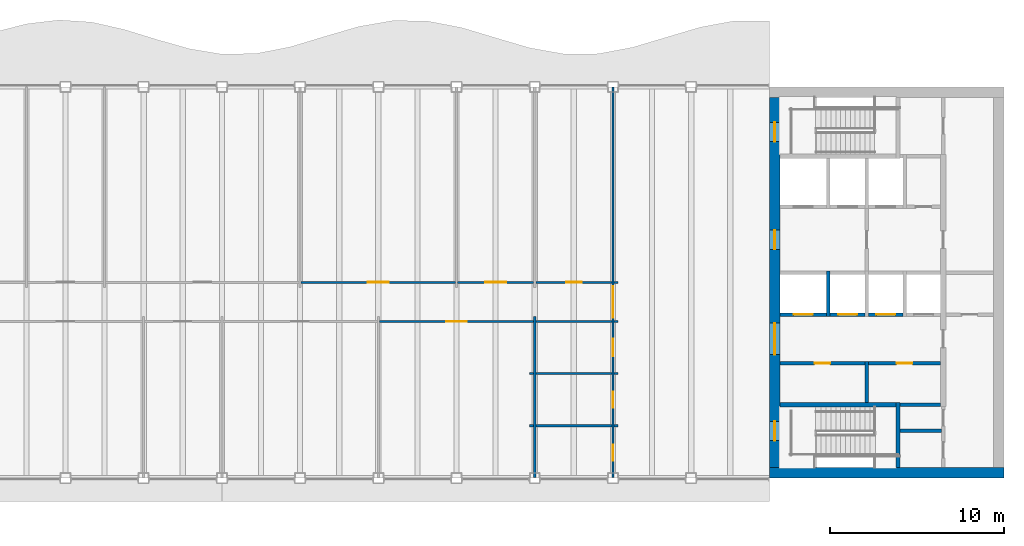
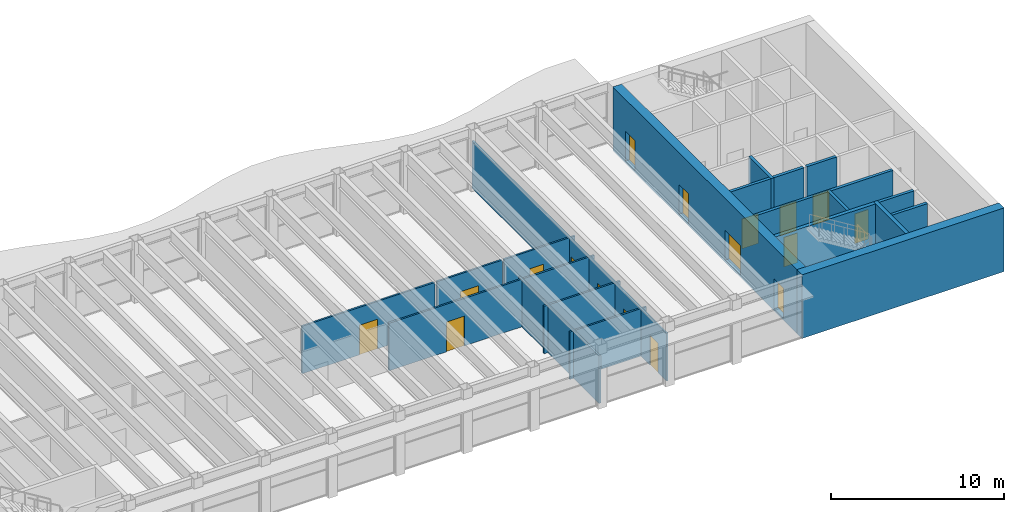
# One storey, part 9 of 14: 28 walls, 17 doors, 17 openings.
"""IFC4 building model written with IfcOpenShell, lengths in metres."""

from ifc_helpers import new_model, si_unit, direction, frame, frame_2d, origin, place, context, subcontext, project, spatial, rectangle, extrude, material, layer, layer_set, type_object, element, fill, save


model = new_model("IFC4")

# Units and contexts
model_context = context("Model", 3, precision=1e-05, world=origin(), true_north=direction((0.0, 1.0)))
body_context = subcontext(model_context, "Body", "Model", "MODEL_VIEW")
ifc_project = project(units=[si_unit("LENGTHUNIT", "METRE"), si_unit("AREAUNIT", "SQUARE_METRE"), si_unit("VOLUMEUNIT", "CUBIC_METRE"), si_unit("PLANEANGLEUNIT", "RADIAN"), si_unit("MASSUNIT", "GRAM", prefix="KILO")], contexts=[model_context])

# Site, building, storey
site_placement = place(None, origin())
site = spatial("IfcSite", under=ifc_project, at=site_placement, CompositionType="ELEMENT")
building_placement = place(site_placement, origin())
building = spatial("IfcBuilding", under=site, at=building_placement, Name="Sennacour Bend Tower", CompositionType="ELEMENT")
storey_placement = place(building_placement, frame((0.0, 0.0, 309.5)))
storey = spatial("IfcBuildingStorey", under=building, at=storey_placement, Name="L71", CompositionType="ELEMENT", Elevation=309.5)

# Wall
ifc_material_1 = material(Name="Concrete C50/60", Category="concrete")
ifc_layer_1 = layer(ifc_material_1, 0.60009765625, Name="Concrete C50/60", Category="concrete")
ifc_layer_set_1 = layer_set([ifc_layer_1], Name="Concrete C50/60")
wall_type_1 = type_object("IfcWallType", Name="Core wall 600 C50/60", PredefinedType="SHEAR", material=ifc_layer_set_1)
wall_1_placement = place(storey_placement, frame((67.5, 0.300048828125, -0.14990234375), z_axis=(0.0, 0.0, 1.0), x_axis=(-1.0, 0.0, 0.0)))
element("IfcWall", 1, at=wall_1_placement, inside=storey, type_object=wall_type_1, Name="Core A wall L71 S", PredefinedType="SHEAR", context=body_context, shape_type="SweptSolid", body=[
    extrude(rectangle(XDim=13.5, YDim=0.60009765625, at=frame_2d((6.75, 0.0))), origin(), (0.0, 0.0, 1.0), 4.5),
])

# Wall, openings, doors
wall_2_placement = place(storey_placement, frame((54.300048828125, 0.60009765625, -0.14990234375), z_axis=(0.0, 0.0, 1.0), x_axis=(0.0, 1.0, 0.0)))
wall_2 = element("IfcWall", 2, at=wall_2_placement, inside=storey, type_object=wall_type_1, Name="Core A wall L71 W", PredefinedType="SHEAR", context=body_context, shape_type="SweptSolid", body=[
    extrude(rectangle(XDim=21.2998046875, YDim=0.60009765625, at=frame_2d((10.64990234375, 0.0))), origin(), (0.0, 0.0, 1.0), 4.5),
])
opening_1_placement = place(wall_2_placement, frame((6.5, 0.0, 0.14990234375)))
opening_1 = element("IfcOpeningElement", 3, at=opening_1_placement, cuts=wall_2, Name="Opening CD", PredefinedType="OPENING", context=body_context, shape_type="SweptSolid", body=[
    extrude(rectangle(XDim=1.800048828125, YDim=2.10009765625, at=frame_2d((0.89990234375, 1.050048828125))), frame((0.0, 0.31005859375, 0.0), z_axis=(0.0, -1.0, 0.0), x_axis=(1.0, 0.0, 0.0)), (0.0, 0.0, 1.0), 0.6201171875),
])
opening_2_placement = place(wall_2_placement, frame((12.550048828125, 0.0, 0.14990234375)))
opening_2 = element("IfcOpeningElement", 4, at=opening_2_placement, cuts=wall_2, Name="Opening FD", PredefinedType="OPENING", context=body_context, shape_type="SweptSolid", body=[
    extrude(rectangle(XDim=1.10009765625, YDim=2.10009765625, at=frame_2d((0.550048828125, 1.050048828125))), frame((0.0, 0.31005859375, 0.0), z_axis=(0.0, -1.0, 0.0), x_axis=(1.0, 0.0, 0.0)), (0.0, 0.0, 1.0), 0.6201171875),
])
opening_3_placement = place(wall_2_placement, frame((1.550048828125, 0.0, 0.14990234375)))
opening_3 = element("IfcOpeningElement", 5, at=opening_3_placement, cuts=wall_2, Name="Opening SD", PredefinedType="OPENING", context=body_context, shape_type="SweptSolid", body=[
    extrude(rectangle(XDim=1.10009765625, YDim=2.10009765625, at=frame_2d((0.550048828125, 1.050048828125))), frame((0.0, 0.31005859375, 0.0), z_axis=(0.0, -1.0, 0.0), x_axis=(1.0, 0.0, 0.0)), (0.0, 0.0, 1.0), 0.6201171875),
])
opening_4_placement = place(wall_2_placement, frame((18.75, 0.0, 0.14990234375)))
opening_4 = element("IfcOpeningElement", 6, at=opening_4_placement, cuts=wall_2, Name="Opening SD", PredefinedType="OPENING", context=body_context, shape_type="SweptSolid", body=[
    extrude(rectangle(XDim=1.10009765625, YDim=2.10009765625, at=frame_2d((0.550048828125, 1.050048828125))), frame((0.0, 0.31005859375, 0.0), z_axis=(0.0, -1.0, 0.0), x_axis=(1.0, 0.0, 0.0)), (0.0, 0.0, 1.0), 0.6201171875),
])
ifc_material_2 = material(Name="Painted steel", Category="steel")
door_type_1 = type_object("IfcDoorType", Name="DR-FFL-1100", OperationType="NOTDEFINED", PredefinedType="DOOR", material=ifc_material_2)
door_1_placement = place(opening_2_placement, origin())
door_1 = element("IfcDoor", 7, at=door_1_placement, inside=storey, type_object=door_type_1, Name="Door", OperationType="SINGLE_SWING_RIGHT", OverallHeight=2.10009765625, OverallWidth=1.10009765625, PredefinedType="DOOR", context=body_context, shape_type="SweptSolid", body=[
    extrude(rectangle(XDim=1.10009765625, YDim=2.10009765625, at=frame_2d((0.550048828125, 1.050048828125))), frame((0.0, 0.02490234375, 0.0), z_axis=(0.0, -1.0, 0.0), x_axis=(1.0, 0.0, 0.0)), (0.0, 0.0, 1.0), 0.050048828125),
])
fill(opening_2, door_1)
door_type_2 = type_object("IfcDoorType", Name="DR-LOBBY-1800", OperationType="NOTDEFINED", PredefinedType="DOOR", material=ifc_material_2)
door_2_placement = place(opening_1_placement, origin())
door_2 = element("IfcDoor", 8, at=door_2_placement, inside=storey, type_object=door_type_2, Name="Door", OperationType="DOUBLE_DOOR_SINGLE_SWING", OverallHeight=2.10009765625, OverallWidth=1.800048828125, PredefinedType="DOOR", context=body_context, shape_type="SweptSolid", body=[
    extrude(rectangle(XDim=1.800048828125, YDim=2.10009765625, at=frame_2d((0.89990234375, 1.050048828125))), frame((0.0, 0.02490234375, 0.0), z_axis=(0.0, -1.0, 0.0), x_axis=(1.0, 0.0, 0.0)), (0.0, 0.0, 1.0), 0.050048828125),
])
fill(opening_1, door_2)
door_type_3 = type_object("IfcDoorType", Name="DR-STAIR-1100", OperationType="NOTDEFINED", PredefinedType="DOOR", material=ifc_material_2)
door_3_placement = place(opening_3_placement, origin())
door_3 = element("IfcDoor", 9, at=door_3_placement, inside=storey, type_object=door_type_3, Name="Door", OperationType="SINGLE_SWING_LEFT", OverallHeight=2.10009765625, OverallWidth=1.10009765625, PredefinedType="DOOR", context=body_context, shape_type="SweptSolid", body=[
    extrude(rectangle(XDim=1.10009765625, YDim=2.10009765625, at=frame_2d((0.550048828125, 1.050048828125))), frame((0.0, 0.02490234375, 0.0), z_axis=(0.0, -1.0, 0.0), x_axis=(1.0, 0.0, 0.0)), (0.0, 0.0, 1.0), 0.050048828125),
])
fill(opening_3, door_3)
door_4_placement = place(opening_4_placement, origin())
door_4 = element("IfcDoor", 10, at=door_4_placement, inside=storey, type_object=door_type_3, Name="Door", OperationType="SINGLE_SWING_RIGHT", OverallHeight=2.10009765625, OverallWidth=1.10009765625, PredefinedType="DOOR", context=body_context, shape_type="SweptSolid", body=[
    extrude(rectangle(XDim=1.10009765625, YDim=2.10009765625, at=frame_2d((0.550048828125, 1.050048828125))), frame((0.0, 0.02490234375, 0.0), z_axis=(0.0, -1.0, 0.0), x_axis=(1.0, 0.0, 0.0)), (0.0, 0.0, 1.0), 0.050048828125),
])
fill(opening_4, door_4)

# Walls
ifc_material_3 = material(Name="Plasterboard partition on steel studs", Category="steel")
ifc_layer_2 = layer(ifc_material_3, 0.1201171875, Name="Plasterboard partition on steel studs", Category="steel")
ifc_layer_set_2 = layer_set([ifc_layer_2], Name="Plasterboard partition on steel studs")
wall_type_2 = type_object("IfcWallType", Name="Partition 120", PredefinedType="PARTITIONING", material=ifc_layer_set_2)
wall_3_placement = place(storey_placement, frame((40.5, 0.010009765625, 0.0), z_axis=(0.0, 0.0, 1.0), x_axis=(0.0, 1.0, 0.0)))
element("IfcWall", 11, at=wall_3_placement, inside=storey, type_object=wall_type_2, Name="P-L71-W013a", PredefinedType="PARTITIONING", context=body_context, shape_type="SweptSolid", body=[
    extrude(rectangle(XDim=9.2900390625, YDim=0.1201171875, at=frame_2d((4.64501953125, 0.0))), origin(), (0.0, 0.0, 1.0), 3.35888671875),
])
wall_4_placement = place(storey_placement, frame((40.199951171875, 3.0, 0.0), z_axis=(0.0, 0.0, 1.0), x_axis=(1.0, 0.0, 0.0)))
element("IfcWall", 12, at=wall_4_placement, inside=storey, type_object=wall_type_2, Name="P-L71-W032aa", PredefinedType="PARTITIONING", context=body_context, shape_type="SweptSolid", body=[
    extrude(rectangle(XDim=0.239990234375, YDim=0.1201171875, at=frame_2d((0.1201171875, 0.0))), origin(), (0.0, 0.0, 1.0), 3.35888671875),
])
wall_5_placement = place(storey_placement, frame((40.56005859375, 3.0, 0.0), z_axis=(0.0, 0.0, 1.0), x_axis=(1.0, 0.0, 0.0)))
element("IfcWall", 13, at=wall_5_placement, inside=storey, type_object=wall_type_2, Name="P-L71-W032ab", PredefinedType="PARTITIONING", context=body_context, shape_type="SweptSolid", body=[
    extrude(rectangle(XDim=4.3798828125, YDim=0.1201171875, at=frame_2d((2.18994140625, 0.0))), origin(), (0.0, 0.0, 1.0), 3.35888671875),
])
for number, where, z_axis, x_axis, name in (
    (14, (45.06005859375, 3.0, 0.0), (0.0, 0.0, 1.0), (1.0, 0.0, 0.0), "P-L71-W032ac"),
    (15, (40.199951171875, 6.0, 0.0), (0.0, 0.0, 1.0), (1.0, 0.0, 0.0), "P-L71-W037aa"),
):
    element("IfcWall", number, at=place(storey_placement, frame(where, z_axis=z_axis, x_axis=x_axis)), inside=storey, type_object=wall_type_2, Name=name, PredefinedType="PARTITIONING", context=body_context, shape_type="SweptSolid", body=[
        extrude(rectangle(XDim=0.239990234375, YDim=0.1201171875, at=frame_2d((0.1201171875, 0.0))), origin(), (0.0, 0.0, 1.0), 3.35888671875),
    ])
wall_6_placement = place(storey_placement, frame((40.56005859375, 6.0, 0.0), z_axis=(0.0, 0.0, 1.0), x_axis=(1.0, 0.0, 0.0)))
element("IfcWall", 16, at=wall_6_placement, inside=storey, type_object=wall_type_2, Name="P-L71-W037ab", PredefinedType="PARTITIONING", context=body_context, shape_type="SweptSolid", body=[
    extrude(rectangle(XDim=4.3798828125, YDim=0.1201171875, at=frame_2d((2.18994140625, 0.0))), origin(), (0.0, 0.0, 1.0), 3.35888671875),
])
wall_7_placement = place(storey_placement, frame((45.06005859375, 6.0, 0.0), z_axis=(0.0, 0.0, 1.0), x_axis=(1.0, 0.0, 0.0)))
element("IfcWall", 17, at=wall_7_placement, inside=storey, type_object=wall_type_2, Name="P-L71-W037ac", PredefinedType="PARTITIONING", context=body_context, shape_type="SweptSolid", body=[
    extrude(rectangle(XDim=0.239990234375, YDim=0.1201171875, at=frame_2d((0.1201171875, 0.0))), origin(), (0.0, 0.0, 1.0), 3.35888671875),
])

# Wall, opening, door
wall_8_placement = place(storey_placement, frame((31.56005859375, 9.0, 0.0), z_axis=(0.0, 0.0, 1.0), x_axis=(1.0, 0.0, 0.0)))
wall_8 = element("IfcWall", 18, at=wall_8_placement, inside=storey, type_object=wall_type_2, Name="P-L71-W039ae", PredefinedType="PARTITIONING", context=body_context, shape_type="SweptSolid", body=[
    extrude(rectangle(XDim=8.8798828125, YDim=0.1201171875, at=frame_2d((4.43994140625, 0.0))), origin(), (0.0, 0.0, 1.0), 3.35888671875),
])
opening_5_placement = place(wall_8_placement, frame((3.83984375, 0.0, 0.0)))
opening_5 = element("IfcOpeningElement", 19, at=opening_5_placement, cuts=wall_8, Name="Opening MD", PredefinedType="OPENING", context=body_context, shape_type="SweptSolid", body=[
    extrude(rectangle(XDim=1.199951171875, YDim=2.10009765625, at=frame_2d((0.60009765625, 1.050048828125))), frame((0.0, 0.070068359375, 0.0), z_axis=(0.0, -1.0, 0.0), x_axis=(1.0, 0.0, 0.0)), (0.0, 0.0, 1.0), 0.14013671875),
])
ifc_material_4 = material(Name="Timber", Category="wood")
door_type_4 = type_object("IfcDoorType", Name="DR-MEETING-1200", OperationType="NOTDEFINED", PredefinedType="DOOR", material=ifc_material_4)
door_5_placement = place(opening_5_placement, origin())
door_5 = element("IfcDoor", 20, at=door_5_placement, inside=storey, type_object=door_type_4, Name="Door", OperationType="SINGLE_SWING_LEFT", OverallHeight=2.10009765625, OverallWidth=1.199951171875, PredefinedType="DOOR", context=body_context, shape_type="SweptSolid", body=[
    extrude(rectangle(XDim=1.199951171875, YDim=2.10009765625, at=frame_2d((0.60009765625, 1.050048828125))), frame((0.0, 0.02490234375, 0.0), z_axis=(0.0, -1.0, 0.0), x_axis=(1.0, 0.0, 0.0)), (0.0, 0.0, 1.0), 0.050048828125),
])
fill(opening_5, door_5)

# Walls
wall_9_placement = place(storey_placement, frame((40.56005859375, 9.0, 0.0), z_axis=(0.0, 0.0, 1.0), x_axis=(1.0, 0.0, 0.0)))
element("IfcWall", 21, at=wall_9_placement, inside=storey, type_object=wall_type_2, Name="P-L71-W039af", PredefinedType="PARTITIONING", context=body_context, shape_type="SweptSolid", body=[
    extrude(rectangle(XDim=4.3798828125, YDim=0.1201171875, at=frame_2d((2.18994140625, 0.0))), origin(), (0.0, 0.0, 1.0), 3.35888671875),
])
wall_10_placement = place(storey_placement, frame((45.06005859375, 9.0, 0.0), z_axis=(0.0, 0.0, 1.0), x_axis=(1.0, 0.0, 0.0)))
element("IfcWall", 22, at=wall_10_placement, inside=storey, type_object=wall_type_2, Name="P-L71-W039ag", PredefinedType="PARTITIONING", context=body_context, shape_type="SweptSolid", body=[
    extrude(rectangle(XDim=0.239990234375, YDim=0.1201171875, at=frame_2d((0.1201171875, 0.0))), origin(), (0.0, 0.0, 1.0), 3.35888671875),
])

# Wall, opening, door
wall_11_placement = place(storey_placement, frame((27.06005859375, 11.25, 0.0), z_axis=(0.0, 0.0, 1.0), x_axis=(1.0, 0.0, 0.0)))
wall_11 = element("IfcWall", 23, at=wall_11_placement, inside=storey, type_object=wall_type_2, Name="P-L71-W042ad", PredefinedType="PARTITIONING", context=body_context, shape_type="SweptSolid", body=[
    extrude(rectangle(XDim=8.8798828125, YDim=0.1201171875, at=frame_2d((4.43994140625, 0.0))), origin(), (0.0, 0.0, 1.0), 3.35888671875),
])
opening_6_placement = place(wall_11_placement, frame((3.83984375, 0.0, 0.0)))
opening_6 = element("IfcOpeningElement", 24, at=opening_6_placement, cuts=wall_11, Name="Opening MD", PredefinedType="OPENING", context=body_context, shape_type="SweptSolid", body=[
    extrude(rectangle(XDim=1.199951171875, YDim=2.10009765625, at=frame_2d((0.60009765625, 1.050048828125))), frame((0.0, 0.070068359375, 0.0), z_axis=(0.0, -1.0, 0.0), x_axis=(1.0, 0.0, 0.0)), (0.0, 0.0, 1.0), 0.14013671875),
])
door_6_placement = place(opening_6_placement, origin())
door_6 = element("IfcDoor", 25, at=door_6_placement, inside=storey, type_object=door_type_4, Name="Door", OperationType="SINGLE_SWING_LEFT", OverallHeight=2.10009765625, OverallWidth=1.199951171875, PredefinedType="DOOR", context=body_context, shape_type="SweptSolid", body=[
    extrude(rectangle(XDim=1.199951171875, YDim=2.10009765625, at=frame_2d((0.60009765625, 1.050048828125))), frame((0.0, 0.02490234375, 0.0), z_axis=(0.0, -1.0, 0.0), x_axis=(1.0, 0.0, 0.0)), (0.0, 0.0, 1.0), 0.050048828125),
])
fill(opening_6, door_6)

# Wall
wall_12_placement = place(storey_placement, frame((45.06005859375, 11.25, 0.0), z_axis=(0.0, 0.0, 1.0), x_axis=(1.0, 0.0, 0.0)))
element("IfcWall", 26, at=wall_12_placement, inside=storey, type_object=wall_type_2, Name="P-L71-W042ag", PredefinedType="PARTITIONING", context=body_context, shape_type="SweptSolid", body=[
    extrude(rectangle(XDim=0.239990234375, YDim=0.1201171875, at=frame_2d((0.1201171875, 0.0))), origin(), (0.0, 0.0, 1.0), 3.35888671875),
])

# Wall, openings, doors
ifc_layer_3 = layer(ifc_material_3, 0.1201171875, Name="Plasterboard partition on steel studs", Category="steel")
ifc_layer_set_3 = layer_set([ifc_layer_3], Name="Plasterboard partition on steel studs")
wall_type_3 = type_object("IfcWallType", Name="Partition 120 EI 30", PredefinedType="PARTITIONING", material=ifc_layer_set_3)
wall_13_placement = place(storey_placement, frame((45.0, 0.010009765625, 0.0), z_axis=(0.0, 0.0, 1.0), x_axis=(0.0, 1.0, 0.0)))
wall_13 = element("IfcWall", 27, at=wall_13_placement, inside=storey, type_object=wall_type_3, Name="P-L71-W015a", PredefinedType="PARTITIONING", context=body_context, shape_type="SweptSolid", body=[
    extrude(rectangle(XDim=22.47998046875, YDim=0.1201171875, at=frame_2d((11.239990234375, 0.0))), origin(), (0.0, 0.0, 1.0), 3.35888671875),
])
opening_7_placement = place(wall_13_placement, frame((9.215087890625, 0.0, 0.0)))
opening_7 = element("IfcOpeningElement", 28, at=opening_7_placement, cuts=wall_13, Name="Opening KD3", PredefinedType="OPENING", context=body_context, shape_type="SweptSolid", body=[
    extrude(rectangle(XDim=1.800048828125, YDim=2.10009765625, at=frame_2d((0.89990234375, 1.050048828125))), frame((0.0, 0.070068359375, 0.0), z_axis=(0.0, -1.0, 0.0), x_axis=(1.0, 0.0, 0.0)), (0.0, 0.0, 1.0), 0.14013671875),
])
opening_8_placement = place(wall_13_placement, frame((0.989990234375, 0.0, 0.0)))
opening_8 = element("IfcOpeningElement", 29, at=opening_8_placement, cuts=wall_13, Name="Opening WD", PredefinedType="OPENING", context=body_context, shape_type="SweptSolid", body=[
    extrude(rectangle(XDim=0.89990234375, YDim=2.10009765625, at=frame_2d((0.449951171875, 1.050048828125))), frame((0.0, 0.070068359375, 0.0), z_axis=(0.0, -1.0, 0.0), x_axis=(1.0, 0.0, 0.0)), (0.0, 0.0, 1.0), 0.14013671875),
])
opening_9_placement = place(wall_13_placement, frame((4.0400390625, 0.0, 0.0)))
opening_9 = element("IfcOpeningElement", 30, at=opening_9_placement, cuts=wall_13, Name="Opening WD", PredefinedType="OPENING", context=body_context, shape_type="SweptSolid", body=[
    extrude(rectangle(XDim=0.89990234375, YDim=2.10009765625, at=frame_2d((0.449951171875, 1.050048828125))), frame((0.0, 0.070068359375, 0.0), z_axis=(0.0, -1.0, 0.0), x_axis=(1.0, 0.0, 0.0)), (0.0, 0.0, 1.0), 0.14013671875),
])
opening_10_placement = place(wall_13_placement, frame((6.989990234375, 0.0, 0.0)))
opening_10 = element("IfcOpeningElement", 31, at=opening_10_placement, cuts=wall_13, Name="Opening AD", PredefinedType="OPENING", context=body_context, shape_type="SweptSolid", body=[
    extrude(rectangle(XDim=1.0, YDim=2.10009765625, at=frame_2d((0.5, 1.050048828125))), frame((0.0, 0.070068359375, 0.0), z_axis=(0.0, -1.0, 0.0), x_axis=(1.0, 0.0, 0.0)), (0.0, 0.0, 1.0), 0.14013671875),
])
door_type_5 = type_object("IfcDoorType", Name="DR-ACC-WC-1000", OperationType="NOTDEFINED", PredefinedType="DOOR", material=ifc_material_4)
door_7_placement = place(opening_10_placement, origin())
door_7 = element("IfcDoor", 32, at=door_7_placement, inside=storey, type_object=door_type_5, Name="Door", OperationType="SINGLE_SWING_LEFT", OverallHeight=2.10009765625, OverallWidth=1.0, PredefinedType="DOOR", context=body_context, shape_type="SweptSolid", body=[
    extrude(rectangle(XDim=1.0, YDim=2.10009765625, at=frame_2d((0.5, 1.050048828125))), frame((0.0, 0.02490234375, 0.0), z_axis=(0.0, -1.0, 0.0), x_axis=(1.0, 0.0, 0.0)), (0.0, 0.0, 1.0), 0.050048828125),
])
fill(opening_10, door_7)
door_type_6 = type_object("IfcDoorType", Name="DR-CORRIDOR-1800", OperationType="NOTDEFINED", PredefinedType="DOOR", material=ifc_material_2)
door_8_placement = place(opening_7_placement, origin())
door_8 = element("IfcDoor", 33, at=door_8_placement, inside=storey, type_object=door_type_6, Name="Door", OperationType="DOUBLE_DOOR_SINGLE_SWING", OverallHeight=2.10009765625, OverallWidth=1.800048828125, PredefinedType="DOOR", context=body_context, shape_type="SweptSolid", body=[
    extrude(rectangle(XDim=1.800048828125, YDim=2.10009765625, at=frame_2d((0.89990234375, 1.050048828125))), frame((0.0, 0.02490234375, 0.0), z_axis=(0.0, -1.0, 0.0), x_axis=(1.0, 0.0, 0.0)), (0.0, 0.0, 1.0), 0.050048828125),
])
fill(opening_7, door_8)
door_type_7 = type_object("IfcDoorType", Name="DR-WC-900", OperationType="NOTDEFINED", PredefinedType="DOOR", material=ifc_material_4)
door_9_placement = place(opening_8_placement, origin())
door_9 = element("IfcDoor", 34, at=door_9_placement, inside=storey, type_object=door_type_7, Name="Door", OperationType="SINGLE_SWING_LEFT", OverallHeight=2.10009765625, OverallWidth=0.89990234375, PredefinedType="DOOR", context=body_context, shape_type="SweptSolid", body=[
    extrude(rectangle(XDim=0.89990234375, YDim=2.10009765625, at=frame_2d((0.449951171875, 1.050048828125))), frame((0.0, 0.02490234375, 0.0), z_axis=(0.0, -1.0, 0.0), x_axis=(1.0, 0.0, 0.0)), (0.0, 0.0, 1.0), 0.050048828125),
])
fill(opening_8, door_9)
door_10_placement = place(opening_9_placement, origin())
door_10 = element("IfcDoor", 35, at=door_10_placement, inside=storey, type_object=door_type_7, Name="Door", OperationType="SINGLE_SWING_LEFT", OverallHeight=2.10009765625, OverallWidth=0.89990234375, PredefinedType="DOOR", context=body_context, shape_type="SweptSolid", body=[
    extrude(rectangle(XDim=0.89990234375, YDim=2.10009765625, at=frame_2d((0.449951171875, 1.050048828125))), frame((0.0, 0.02490234375, 0.0), z_axis=(0.0, -1.0, 0.0), x_axis=(1.0, 0.0, 0.0)), (0.0, 0.0, 1.0), 0.050048828125),
])
fill(opening_9, door_10)

# Wall, opening, door
ifc_layer_4 = layer(ifc_material_3, 0.1201171875, Name="Plasterboard partition on steel studs", Category="steel")
ifc_layer_set_4 = layer_set([ifc_layer_4], Name="Plasterboard partition on steel studs")
wall_type_4 = type_object("IfcWallType", Name="Partition 120 EI 60", PredefinedType="PARTITIONING", material=ifc_layer_set_4)
wall_14_placement = place(storey_placement, frame((36.06005859375, 11.25, 0.0), z_axis=(0.0, 0.0, 1.0), x_axis=(1.0, 0.0, 0.0)))
wall_14 = element("IfcWall", 36, at=wall_14_placement, inside=storey, type_object=wall_type_4, Name="P-L71-W042ae", PredefinedType="PARTITIONING", context=body_context, shape_type="SweptSolid", body=[
    extrude(rectangle(XDim=4.3798828125, YDim=0.1201171875, at=frame_2d((2.18994140625, 0.0))), origin(), (0.0, 0.0, 1.0), 3.35888671875),
])
opening_11_placement = place(wall_14_placement, frame((1.58984375, 0.0, 0.0)))
opening_11 = element("IfcOpeningElement", 37, at=opening_11_placement, cuts=wall_14, Name="Opening SV5", PredefinedType="OPENING", context=body_context, shape_type="SweptSolid", body=[
    extrude(rectangle(XDim=1.199951171875, YDim=2.10009765625, at=frame_2d((0.60009765625, 1.050048828125))), frame((0.0, 0.070068359375, 0.0), z_axis=(0.0, -1.0, 0.0), x_axis=(1.0, 0.0, 0.0)), (0.0, 0.0, 1.0), 0.14013671875),
])
door_type_8 = type_object("IfcDoorType", Name="DR-SERVICE-1200", OperationType="NOTDEFINED", PredefinedType="DOOR", material=ifc_material_2)
door_11_placement = place(opening_11_placement, origin())
door_11 = element("IfcDoor", 38, at=door_11_placement, inside=storey, type_object=door_type_8, Name="Door", OperationType="SINGLE_SWING_LEFT", OverallHeight=2.10009765625, OverallWidth=1.199951171875, PredefinedType="DOOR", context=body_context, shape_type="SweptSolid", body=[
    extrude(rectangle(XDim=1.199951171875, YDim=2.10009765625, at=frame_2d((0.60009765625, 1.050048828125))), frame((0.0, 0.02490234375, 0.0), z_axis=(0.0, -1.0, 0.0), x_axis=(1.0, 0.0, 0.0)), (0.0, 0.0, 1.0), 0.050048828125),
])
fill(opening_11, door_11)

wall_15_placement = place(storey_placement, frame((40.56005859375, 11.25, 0.0), z_axis=(0.0, 0.0, 1.0), x_axis=(1.0, 0.0, 0.0)))
wall_15 = element("IfcWall", 39, at=wall_15_placement, inside=storey, type_object=wall_type_4, Name="P-L71-W042af", PredefinedType="PARTITIONING", context=body_context, shape_type="SweptSolid", body=[
    extrude(rectangle(XDim=4.3798828125, YDim=0.1201171875, at=frame_2d((2.18994140625, 0.0))), origin(), (0.0, 0.0, 1.0), 3.35888671875),
])
opening_12_placement = place(wall_15_placement, frame((1.739990234375, 0.0, 0.0)))
opening_12 = element("IfcOpeningElement", 40, at=opening_12_placement, cuts=wall_15, Name="Opening SV", PredefinedType="OPENING", context=body_context, shape_type="SweptSolid", body=[
    extrude(rectangle(XDim=0.89990234375, YDim=2.10009765625, at=frame_2d((0.449951171875, 1.050048828125))), frame((0.0, 0.070068359375, 0.0), z_axis=(0.0, -1.0, 0.0), x_axis=(1.0, 0.0, 0.0)), (0.0, 0.0, 1.0), 0.14013671875),
])
door_type_9 = type_object("IfcDoorType", Name="DR-SERVICE-900", OperationType="NOTDEFINED", PredefinedType="DOOR", material=ifc_material_2)
door_12_placement = place(opening_12_placement, origin())
door_12 = element("IfcDoor", 41, at=door_12_placement, inside=storey, type_object=door_type_9, Name="Door", OperationType="SINGLE_SWING_LEFT", OverallHeight=2.10009765625, OverallWidth=0.89990234375, PredefinedType="DOOR", context=body_context, shape_type="SweptSolid", body=[
    extrude(rectangle(XDim=0.89990234375, YDim=2.10009765625, at=frame_2d((0.449951171875, 1.050048828125))), frame((0.0, 0.02490234375, 0.0), z_axis=(0.0, -1.0, 0.0), x_axis=(1.0, 0.0, 0.0)), (0.0, 0.0, 1.0), 0.050048828125),
])
fill(opening_12, door_12)

# Walls
ifc_material_5 = material(Name="Fire-rated plasterboard partition on steel studs", Category="steel")
ifc_layer_5 = layer(ifc_material_5, 0.199951171875, Name="Fire-rated plasterboard partition on steel studs", Category="steel")
ifc_layer_set_5 = layer_set([ifc_layer_5], Name="Fire-rated plasterboard partition on steel studs")
wall_type_5 = type_object("IfcWallType", Name="Rated partition 200", PredefinedType="PARTITIONING", material=ifc_layer_set_5)
for number, where, z_axis, x_axis, name in (
    (42, (59.60009765625, 4.324951171875, 0.0), (0.0, 0.0, 1.0), (0.0, 1.0, 0.0), "P-L71-W018"),
    (43, (61.52490234375, 2.699951171875, 0.0), (0.0, 0.0, 1.0), (1.0, 0.0, 0.0), "P-L71-W031"),
):
    element("IfcWall", number, at=place(storey_placement, frame(where, z_axis=z_axis, x_axis=x_axis)), inside=storey, type_object=wall_type_5, Name=name, PredefinedType="PARTITIONING", context=body_context, shape_type="SweptSolid", body=[
        extrude(rectangle(XDim=2.375, YDim=0.199951171875, at=frame_2d((1.1875, 0.0))), origin(), (0.0, 0.0, 1.0), 4.35009765625),
    ])
wall_16_placement = place(storey_placement, frame((61.52490234375, 4.199951171875, 0.0), z_axis=(0.0, 0.0, 1.0), x_axis=(1.0, 0.0, 0.0)))
element("IfcWall", 44, at=wall_16_placement, inside=storey, type_object=wall_type_5, Name="P-L71-W036", PredefinedType="PARTITIONING", context=body_context, shape_type="SweptSolid", body=[
    extrude(rectangle(XDim=2.3251953125, YDim=0.199951171875, at=frame_2d((1.16259765625, 0.0))), origin(), (0.0, 0.0, 1.0), 4.35009765625),
])

# Wall, opening, door
wall_17_placement = place(storey_placement, frame((54.60009765625, 6.60009765625, 0.0), z_axis=(0.0, 0.0, 1.0), x_axis=(1.0, 0.0, 0.0)))
wall_17 = element("IfcWall", 45, at=wall_17_placement, inside=storey, type_object=wall_type_5, Name="P-L71-W038a", PredefinedType="PARTITIONING", context=body_context, shape_type="SweptSolid", body=[
    extrude(rectangle(XDim=4.89990234375, YDim=0.199951171875, at=frame_2d((2.449951171875, 0.0))), origin(), (0.0, 0.0, 1.0), 4.35009765625),
])
opening_13_placement = place(wall_17_placement, frame((2.0, 0.0, 0.0)))
opening_13 = element("IfcOpeningElement", 46, at=opening_13_placement, cuts=wall_17, Name="Opening SV", PredefinedType="OPENING", context=body_context, shape_type="SweptSolid", body=[
    extrude(rectangle(XDim=0.89990234375, YDim=2.10009765625, at=frame_2d((0.449951171875, 1.050048828125))), frame((0.0, 0.10986328125, 0.0), z_axis=(0.0, -1.0, 0.0), x_axis=(1.0, 0.0, 0.0)), (0.0, 0.0, 1.0), 0.219970703125),
])
door_13_placement = place(opening_13_placement, origin())
door_13 = element("IfcDoor", 47, at=door_13_placement, inside=storey, type_object=door_type_9, Name="Door", OperationType="SINGLE_SWING_LEFT", OverallHeight=2.10009765625, OverallWidth=0.89990234375, PredefinedType="DOOR", context=body_context, shape_type="SweptSolid", body=[
    extrude(rectangle(XDim=0.89990234375, YDim=2.10009765625, at=frame_2d((0.449951171875, 1.050048828125))), frame((0.0, 0.02490234375, 0.0), z_axis=(0.0, -1.0, 0.0), x_axis=(1.0, 0.0, 0.0)), (0.0, 0.0, 1.0), 0.050048828125),
])
fill(opening_13, door_13)

wall_18_placement = place(storey_placement, frame((59.699951171875, 6.60009765625, 0.0), z_axis=(0.0, 0.0, 1.0), x_axis=(1.0, 0.0, 0.0)))
wall_18 = element("IfcWall", 48, at=wall_18_placement, inside=storey, type_object=wall_type_5, Name="P-L71-W038b", PredefinedType="PARTITIONING", context=body_context, shape_type="SweptSolid", body=[
    extrude(rectangle(XDim=4.150146484375, YDim=0.199951171875, at=frame_2d((2.0751953125, 0.0))), origin(), (0.0, 0.0, 1.0), 4.35009765625),
])
opening_14_placement = place(wall_18_placement, frame((1.625, 0.0, 0.0)))
opening_14 = element("IfcOpeningElement", 49, at=opening_14_placement, cuts=wall_18, Name="Opening SV", PredefinedType="OPENING", context=body_context, shape_type="SweptSolid", body=[
    extrude(rectangle(XDim=0.89990234375, YDim=2.10009765625, at=frame_2d((0.449951171875, 1.050048828125))), frame((0.0, 0.10986328125, 0.0), z_axis=(0.0, -1.0, 0.0), x_axis=(1.0, 0.0, 0.0)), (0.0, 0.0, 1.0), 0.219970703125),
])
door_14_placement = place(opening_14_placement, origin())
door_14 = element("IfcDoor", 50, at=door_14_placement, inside=storey, type_object=door_type_9, Name="Door", OperationType="SINGLE_SWING_LEFT", OverallHeight=2.10009765625, OverallWidth=0.89990234375, PredefinedType="DOOR", context=body_context, shape_type="SweptSolid", body=[
    extrude(rectangle(XDim=0.89990234375, YDim=2.10009765625, at=frame_2d((0.449951171875, 1.050048828125))), frame((0.0, 0.02490234375, 0.0), z_axis=(0.0, -1.0, 0.0), x_axis=(1.0, 0.0, 0.0)), (0.0, 0.0, 1.0), 0.050048828125),
])
fill(opening_14, door_14)

# Wall
ifc_layer_6 = layer(ifc_material_1, 0.199951171875, Name="Concrete C50/60", Category="concrete")
ifc_layer_set_6 = layer_set([ifc_layer_6], Name="Concrete C50/60")
wall_type_6 = type_object("IfcWallType", Name="Shaft wall 200", PredefinedType="SOLIDWALL", material=ifc_layer_set_6)
wall_19_placement = place(storey_placement, frame((57.39990234375, 9.300048828125, 0.0), z_axis=(0.0, 0.0, 1.0), x_axis=(0.0, 1.0, 0.0)))
element("IfcWall", 51, at=wall_19_placement, inside=storey, type_object=wall_type_6, Name="P-L71-W016", PredefinedType="SOLIDWALL", context=body_context, shape_type="SweptSolid", body=[
    extrude(rectangle(XDim=2.599853515625, YDim=0.199951171875, at=frame_2d((1.2998046875, 0.0))), origin(), (0.0, 0.0, 1.0), 4.35009765625),
])

# Wall, opening, door
wall_20_placement = place(storey_placement, frame((54.60009765625, 9.39990234375, 0.0), z_axis=(0.0, 0.0, 1.0), x_axis=(1.0, 0.0, 0.0)))
wall_20 = element("IfcWall", 52, at=wall_20_placement, inside=storey, type_object=wall_type_6, Name="P-L71-W040a", PredefinedType="SOLIDWALL", context=body_context, shape_type="SweptSolid", body=[
    extrude(rectangle(XDim=2.699951171875, YDim=0.199951171875, at=frame_2d((1.35009765625, 0.0))), origin(), (0.0, 0.0, 1.0), 4.35009765625),
])
opening_15_placement = place(wall_20_placement, frame((0.7998046875, 0.0, 0.011962890625)))
opening_15 = element("IfcOpeningElement", 53, at=opening_15_placement, cuts=wall_20, Name="Opening LD", PredefinedType="OPENING", context=body_context, shape_type="SweptSolid", body=[
    extrude(rectangle(XDim=1.10009765625, YDim=2.10009765625, at=frame_2d((0.550048828125, 1.050048828125))), frame((0.0, 0.10986328125, 0.0), z_axis=(0.0, -1.0, 0.0), x_axis=(1.0, 0.0, 0.0)), (0.0, 0.0, 1.0), 0.219970703125),
])
ifc_material_6 = material(Name="Stainless steel", Category="steel")
door_type_10 = type_object("IfcDoorType", Name="DR-LANDING-1100", OperationType="NOTDEFINED", PredefinedType="DOOR", material=ifc_material_6)
door_15_placement = place(opening_15_placement, origin())
door_15 = element("IfcDoor", 54, at=door_15_placement, inside=storey, type_object=door_type_10, Name="Lift landing door HA1", OperationType="SLIDING_TO_LEFT", OverallHeight=2.10009765625, OverallWidth=1.10009765625, PredefinedType="DOOR", context=body_context, shape_type="SweptSolid", body=[
    extrude(rectangle(XDim=1.10009765625, YDim=2.10009765625, at=frame_2d((0.550048828125, 1.050048828125))), frame((0.0, 0.02490234375, 0.0), z_axis=(0.0, -1.0, 0.0), x_axis=(1.0, 0.0, 0.0)), (0.0, 0.0, 1.0), 0.050048828125),
])
fill(opening_15, door_15)

wall_21_placement = place(storey_placement, frame((57.5, 9.39990234375, 0.0), z_axis=(0.0, 0.0, 1.0), x_axis=(1.0, 0.0, 0.0)))
wall_21 = element("IfcWall", 55, at=wall_21_placement, inside=storey, type_object=wall_type_6, Name="P-L71-W040b", PredefinedType="SOLIDWALL", context=body_context, shape_type="SweptSolid", body=[
    extrude(rectangle(XDim=2.0, YDim=0.199951171875, at=frame_2d((1.0, 0.0))), origin(), (0.0, 0.0, 1.0), 4.35009765625),
])
opening_16_placement = place(wall_21_placement, frame((0.449951171875, 0.0, 0.011962890625)))
opening_16 = element("IfcOpeningElement", 56, at=opening_16_placement, cuts=wall_21, Name="Opening LD", PredefinedType="OPENING", context=body_context, shape_type="SweptSolid", body=[
    extrude(rectangle(XDim=1.10009765625, YDim=2.10009765625, at=frame_2d((0.550048828125, 1.050048828125))), frame((0.0, 0.10986328125, 0.0), z_axis=(0.0, -1.0, 0.0), x_axis=(1.0, 0.0, 0.0)), (0.0, 0.0, 1.0), 0.219970703125),
])
door_16_placement = place(opening_16_placement, origin())
door_16 = element("IfcDoor", 57, at=door_16_placement, inside=storey, type_object=door_type_10, Name="Lift landing door HA2", OperationType="SLIDING_TO_RIGHT", OverallHeight=2.10009765625, OverallWidth=1.10009765625, PredefinedType="DOOR", context=body_context, shape_type="SweptSolid", body=[
    extrude(rectangle(XDim=1.10009765625, YDim=2.10009765625, at=frame_2d((0.550048828125, 1.050048828125))), frame((0.0, 0.02490234375, 0.0), z_axis=(0.0, -1.0, 0.0), x_axis=(1.0, 0.0, 0.0)), (0.0, 0.0, 1.0), 0.050048828125),
])
fill(opening_16, door_16)

wall_22_placement = place(storey_placement, frame((59.699951171875, 9.39990234375, 0.0), z_axis=(0.0, 0.0, 1.0), x_axis=(1.0, 0.0, 0.0)))
wall_22 = element("IfcWall", 58, at=wall_22_placement, inside=storey, type_object=wall_type_6, Name="P-L71-W040c", PredefinedType="SOLIDWALL", context=body_context, shape_type="SweptSolid", body=[
    extrude(rectangle(XDim=2.0, YDim=0.199951171875, at=frame_2d((1.0, 0.0))), origin(), (0.0, 0.0, 1.0), 4.35009765625),
])
opening_17_placement = place(wall_22_placement, frame((0.449951171875, 0.0, 0.011962890625)))
opening_17 = element("IfcOpeningElement", 59, at=opening_17_placement, cuts=wall_22, Name="Opening LD", PredefinedType="OPENING", context=body_context, shape_type="SweptSolid", body=[
    extrude(rectangle(XDim=1.10009765625, YDim=2.10009765625, at=frame_2d((0.550048828125, 1.050048828125))), frame((0.0, 0.10986328125, 0.0), z_axis=(0.0, -1.0, 0.0), x_axis=(1.0, 0.0, 0.0)), (0.0, 0.0, 1.0), 0.219970703125),
])
door_17_placement = place(opening_17_placement, origin())
door_17 = element("IfcDoor", 60, at=door_17_placement, inside=storey, type_object=door_type_10, Name="Lift landing door HA3", OperationType="SLIDING_TO_LEFT", OverallHeight=2.10009765625, OverallWidth=1.10009765625, PredefinedType="DOOR", context=body_context, shape_type="SweptSolid", body=[
    extrude(rectangle(XDim=1.10009765625, YDim=2.10009765625, at=frame_2d((0.550048828125, 1.050048828125))), frame((0.0, 0.02490234375, 0.0), z_axis=(0.0, -1.0, 0.0), x_axis=(1.0, 0.0, 0.0)), (0.0, 0.0, 1.0), 0.050048828125),
])
fill(opening_17, door_17)

# Walls
ifc_material_7 = material(Name="Concrete C60/75", Category="concrete")
ifc_layer_7 = layer(ifc_material_7, 0.25, Name="Concrete C60/75", Category="concrete")
ifc_layer_set_7 = layer_set([ifc_layer_7], Name="Concrete C60/75")
wall_type_7 = type_object("IfcWallType", Name="Stair wall 250", PredefinedType="SHEAR", material=ifc_layer_set_7)
wall_23_placement = place(storey_placement, frame((61.39990234375, 0.60009765625, 0.0), z_axis=(0.0, 0.0, 1.0), x_axis=(0.0, 1.0, 0.0)))
element("IfcWall", 61, at=wall_23_placement, inside=storey, type_object=wall_type_7, Name="P-L71-W022", PredefinedType="SHEAR", context=body_context, shape_type="SweptSolid", body=[
    extrude(rectangle(XDim=3.724853515625, YDim=0.25, at=frame_2d((1.8623046875, 0.0))), origin(), (0.0, 0.0, 1.0), 4.35009765625),
])
wall_24_placement = place(storey_placement, frame((54.60009765625, 4.199951171875, 0.0), z_axis=(0.0, 0.0, 1.0), x_axis=(1.0, 0.0, 0.0)))
element("IfcWall", 62, at=wall_24_placement, inside=storey, type_object=wall_type_7, Name="P-L71-W035", PredefinedType="SHEAR", context=body_context, shape_type="SweptSolid", body=[
    extrude(rectangle(XDim=6.6748046875, YDim=0.25, at=frame_2d((3.33740234375, 0.0))), origin(), (0.0, 0.0, 1.0), 4.35009765625),
])

save(model, "model.ifc")
